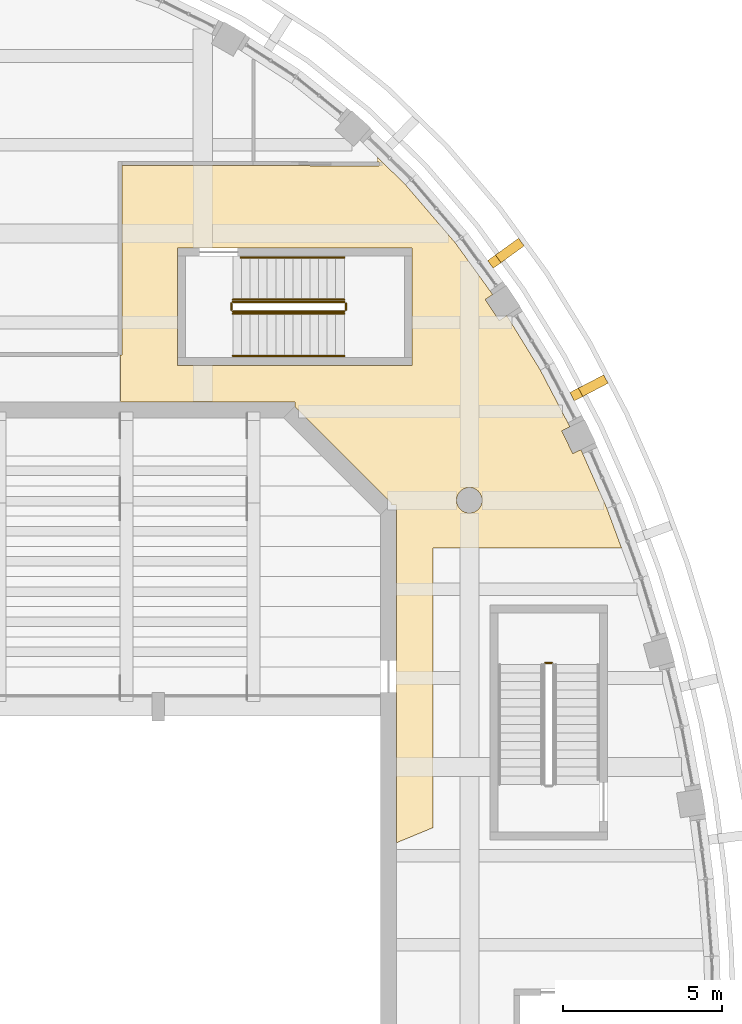
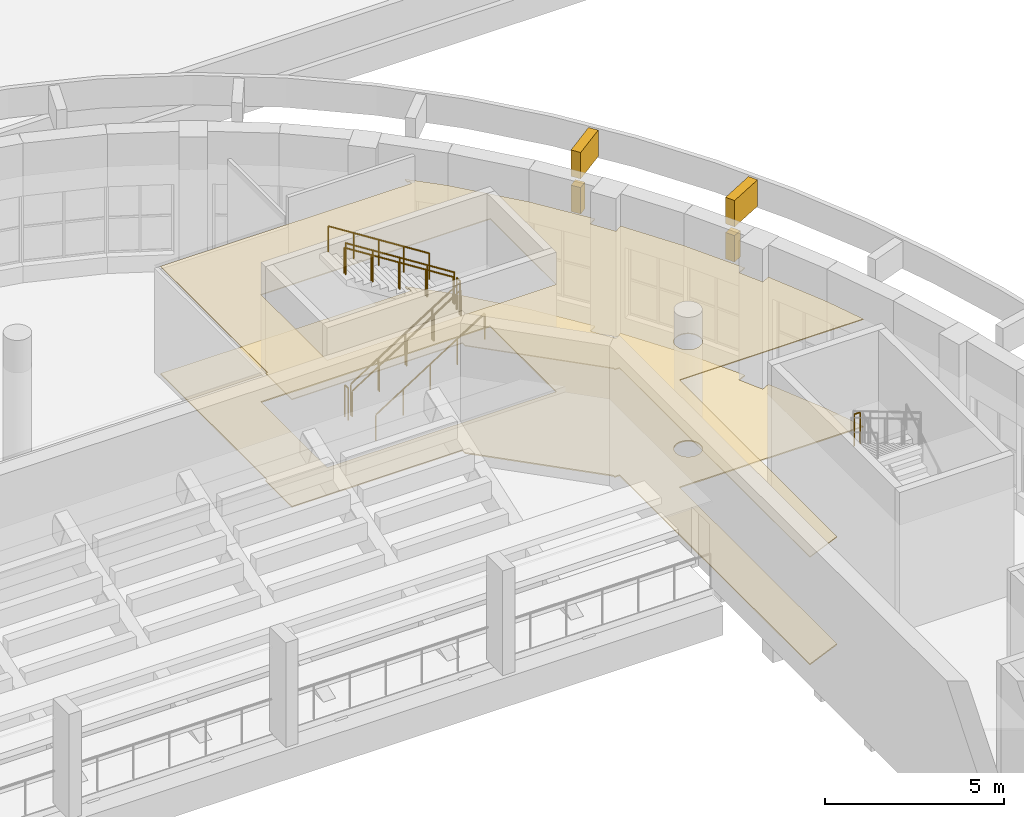
# One storey, part 77 of 79: 9 railings, 6 coverings.
"""IFC4 building model written with IfcOpenShell, lengths in metres."""

from ifc_helpers import new_model, si_unit, direction, frame, origin, origin_2d, place, context, subcontext, project, spatial, polyline, rectangle, circle, outline, extrude, material, layer, layer_set, type_object, element, save


model = new_model("IFC4")

# Units and contexts
model_context = context("Model", 3, precision=1e-05, world=origin(), true_north=direction((0.0, 1.0)))
body_context = subcontext(model_context, "Body", "Model", "MODEL_VIEW")
ifc_project = project(units=[si_unit("LENGTHUNIT", "METRE"), si_unit("AREAUNIT", "SQUARE_METRE"), si_unit("VOLUMEUNIT", "CUBIC_METRE"), si_unit("PLANEANGLEUNIT", "RADIAN"), si_unit("MASSUNIT", "GRAM", prefix="KILO")], contexts=[model_context])

# Site, building, storey
site_placement = place(None, origin())
site = spatial("IfcSite", under=ifc_project, at=site_placement, CompositionType="ELEMENT")
building_placement = place(site_placement, origin())
building = spatial("IfcBuilding", under=site, at=building_placement, Name="Larchfold Concert Hall", CompositionType="ELEMENT")
storey_placement = place(building_placement, frame((0.0, 0.0, 14.39990234375)))
storey = spatial("IfcBuildingStorey", under=building, at=storey_placement, Name="L03", CompositionType="ELEMENT", Elevation=14.39990234375)

# Coverings
ifc_material_1 = material(Name="Plasterboard ceiling lining")
ifc_layer_1 = layer(ifc_material_1, 0.030029296875)
ifc_layer_set_1 = layer_set([ifc_layer_1], Name="Plasterboard ceiling lining")
covering_type_1 = type_object("IfcCoveringType", Name="Ceiling suspended plasterboard 30", PredefinedType="CEILING", material=ifc_layer_set_1)
covering_1_placement = place(storey_placement, frame((0.0, 0.0, 3.670166015625)))
element("IfcCovering", 1, at=covering_1_placement, inside=storey, type_object=covering_type_1, Name="Ceiling Hall Foyer North East", PredefinedType="CEILING", context=body_context, shape_type="SweptSolid", body=[
    extrude(outline(polyline([(48.400390625, 105.97998046875), (48.40087890625, 104.5), (53.89990234375, 104.5), (53.89990234375, 104.353759765625), (56.9541015625, 101.299560546875), (56.92724609375, 101.272705078125), (56.948974609375, 101.251220703125), (57.10009765625, 101.251220703125), (57.10009765625, 90.606201171875), (58.25, 91.08251953125), (58.252197265625, 99.896484375), (64.19384765625, 99.900146484375), (63.732177734375, 101.1494140625), (62.9169921875, 102.994873046875), (62.658203125, 102.870361328125), (62.3115234375, 103.591552734375), (62.56982421875, 103.715576171875), (61.635986328125, 105.502685546875), (60.579833984375, 107.218994140625), (60.342529296875, 107.060791015625), (59.898681640625, 107.726318359375), (60.13525390625, 107.884033203125), (58.953857421875, 109.514892578125), (57.384765625, 111.3466796875), (56.5, 112.2119140625), (56.49365234375, 112.0625), (56.553466796875, 112.0625), (56.553466796875, 111.9375), (48.46142578125, 111.949462890625), (48.46240234375, 105.97998046875), (48.400390625, 105.97998046875)]), holes=[polyline([(59.199951171875, 101.053466796875), (59.156494140625, 101.08251953125), (59.116943359375, 101.116943359375), (59.08251953125, 101.156494140625), (59.053466796875, 101.199951171875), (59.0302734375, 101.246826171875), (59.013427734375, 101.29638671875), (59.00341796875, 101.34765625), (59.0, 101.39990234375), (59.00341796875, 101.4521484375), (59.013427734375, 101.50341796875), (59.0302734375, 101.552978515625), (59.053466796875, 101.599853515625), (59.08251953125, 101.643310546875), (59.116943359375, 101.682861328125), (59.156494140625, 101.71728515625), (59.199951171875, 101.746337890625), (59.246826171875, 101.76953125), (59.29638671875, 101.786376953125), (59.34765625, 101.79638671875), (59.39990234375, 101.7998046875), (59.4521484375, 101.79638671875), (59.50341796875, 101.786376953125), (59.552978515625, 101.76953125), (59.599853515625, 101.746337890625), (59.643310546875, 101.71728515625), (59.682861328125, 101.682861328125), (59.71728515625, 101.643310546875), (59.746337890625, 101.599853515625), (59.76953125, 101.552978515625), (59.786376953125, 101.50341796875), (59.79638671875, 101.4521484375), (59.7998046875, 101.39990234375), (59.79638671875, 101.34765625), (59.786376953125, 101.29638671875), (59.76953125, 101.246826171875), (59.746337890625, 101.199951171875), (59.71728515625, 101.156494140625), (59.682861328125, 101.116943359375), (59.643310546875, 101.08251953125), (59.599853515625, 101.053466796875), (59.552978515625, 101.0302734375), (59.50341796875, 101.013427734375), (59.4521484375, 101.00341796875), (59.39990234375, 101.0), (59.34765625, 101.00341796875), (59.29638671875, 101.013427734375), (59.246826171875, 101.0302734375), (59.199951171875, 101.053466796875)]), polyline([(50.199951171875, 105.64990234375), (50.199951171875, 109.35009765625), (57.60009765625, 109.35009765625), (57.60009765625, 105.64990234375), (50.199951171875, 105.64990234375)])]), origin(), (0.0, 0.0, 1.0), 0.030029296875),
])
ifc_material_2 = material(Name="Polished terrazzo")
ifc_layer_2 = layer(ifc_material_2, 0.0400390625)
ifc_layer_set_2 = layer_set([ifc_layer_2], Name="Polished terrazzo")
covering_type_2 = type_object("IfcCoveringType", Name="Floor finish terrazzo 40", PredefinedType="FLOORING", material=ifc_layer_set_2)
covering_2_placement = place(storey_placement, origin())
element("IfcCovering", 2, at=covering_2_placement, inside=storey, type_object=covering_type_2, Name="Floor finish Hall Foyer North East", PredefinedType="FLOORING", context=body_context, shape_type="SweptSolid", body=[
    extrude(outline(polyline([(48.400390625, 105.97998046875), (48.40087890625, 104.5), (53.89990234375, 104.5), (53.89990234375, 104.353759765625), (56.9541015625, 101.299560546875), (56.92724609375, 101.272705078125), (56.948974609375, 101.251220703125), (57.10009765625, 101.251220703125), (57.10009765625, 90.606201171875), (58.25, 91.08251953125), (58.252197265625, 99.896484375), (64.19384765625, 99.900146484375), (63.732177734375, 101.1494140625), (62.9169921875, 102.994873046875), (62.658203125, 102.870361328125), (62.3115234375, 103.591552734375), (62.56982421875, 103.715576171875), (61.635986328125, 105.502685546875), (60.579833984375, 107.218994140625), (60.342529296875, 107.060791015625), (59.898681640625, 107.726318359375), (60.13525390625, 107.884033203125), (58.953857421875, 109.514892578125), (57.384765625, 111.3466796875), (56.5, 112.2119140625), (56.49365234375, 112.0625), (56.553466796875, 112.0625), (56.553466796875, 111.9375), (48.46142578125, 111.949462890625), (48.46240234375, 105.97998046875), (48.400390625, 105.97998046875)]), holes=[polyline([(59.199951171875, 101.053466796875), (59.156494140625, 101.08251953125), (59.116943359375, 101.116943359375), (59.08251953125, 101.156494140625), (59.053466796875, 101.199951171875), (59.0302734375, 101.246826171875), (59.013427734375, 101.29638671875), (59.00341796875, 101.34765625), (59.0, 101.39990234375), (59.00341796875, 101.4521484375), (59.013427734375, 101.50341796875), (59.0302734375, 101.552978515625), (59.053466796875, 101.599853515625), (59.08251953125, 101.643310546875), (59.116943359375, 101.682861328125), (59.156494140625, 101.71728515625), (59.199951171875, 101.746337890625), (59.246826171875, 101.76953125), (59.29638671875, 101.786376953125), (59.34765625, 101.79638671875), (59.39990234375, 101.7998046875), (59.4521484375, 101.79638671875), (59.50341796875, 101.786376953125), (59.552978515625, 101.76953125), (59.599853515625, 101.746337890625), (59.643310546875, 101.71728515625), (59.682861328125, 101.682861328125), (59.71728515625, 101.643310546875), (59.746337890625, 101.599853515625), (59.76953125, 101.552978515625), (59.786376953125, 101.50341796875), (59.79638671875, 101.4521484375), (59.7998046875, 101.39990234375), (59.79638671875, 101.34765625), (59.786376953125, 101.29638671875), (59.76953125, 101.246826171875), (59.746337890625, 101.199951171875), (59.71728515625, 101.156494140625), (59.682861328125, 101.116943359375), (59.643310546875, 101.08251953125), (59.599853515625, 101.053466796875), (59.552978515625, 101.0302734375), (59.50341796875, 101.013427734375), (59.4521484375, 101.00341796875), (59.39990234375, 101.0), (59.34765625, 101.00341796875), (59.29638671875, 101.013427734375), (59.246826171875, 101.0302734375), (59.199951171875, 101.053466796875)]), polyline([(50.199951171875, 105.64990234375), (50.199951171875, 109.35009765625), (57.60009765625, 109.35009765625), (57.60009765625, 105.64990234375), (50.199951171875, 105.64990234375)])]), origin(), (0.0, 0.0, 1.0), 0.0400390625),
])
ifc_material_3 = material(Name="Galvanised steel bracket", Category="steel")
ifc_layer_3 = layer(ifc_material_3, 0.300048828125)
ifc_layer_set_3 = layer_set([ifc_layer_3], Name="Galvanised steel bracket")
covering_type_3 = type_object("IfcCoveringType", Name="Ring support bracket", PredefinedType="CLADDING", material=ifc_layer_set_3)
for number, where, z_axis, x_axis, name in (
    (3, (62.771484375, 104.7333984375, 3.35009765625), (0.0, 0.0, 1.0), (0.88627377699, 0.463161734409, 0.0), "Ring bracket BR-R06-05"),
    (4, (60.18798828125, 108.919189453125, 3.35009765625), (0.0, 0.0, 1.0), (0.809814943436, 0.586685398989, 0.0), "Ring bracket BR-R06-06"),
):
    element("IfcCovering", number, at=place(storey_placement, frame(where, z_axis=z_axis, x_axis=x_axis)), inside=storey, type_object=covering_type_3, Name=name, PredefinedType="CLADDING", context=body_context, shape_type="SweptSolid", body=[
        extrude(rectangle(XDim=0.300048828125, YDim=0.300048828125, at=origin_2d()), origin(), (0.0, 0.0, 1.0), 0.89990234375),
    ])
for number, where, z_axis, x_axis, name in (
    (5, (63.17041015625, 104.941650390625, 4.550048828125), (0.0, 0.0, 1.0), (0.88627377699, 0.463161734409, 0.0), "Ring bracket BR-R07-05"),
    (6, (60.552490234375, 109.18310546875, 4.550048828125), (0.0, 0.0, 1.0), (0.809814943436, 0.586685398989, 0.0), "Ring bracket BR-R07-06"),
):
    element("IfcCovering", number, at=place(storey_placement, frame(where, z_axis=z_axis, x_axis=x_axis)), inside=storey, type_object=covering_type_3, Name=name, PredefinedType="CLADDING", context=body_context, shape_type="SweptSolid", body=[
        extrude(rectangle(XDim=1.199951171875, YDim=0.300048828125, at=origin_2d()), origin(), (0.0, 0.0, 1.0), 0.89990234375),
    ])

# Railings
ifc_material_4 = material(Name="Stainless steel balustrade", Category="steel")
railing_type_1 = type_object("IfcRailingType", Name="Stair guard 1100", PredefinedType="GUARDRAIL", material=ifc_material_4)
railing_1_placement = place(storey_placement, frame((62.0, 96.280029296875, 2.400146484375)))
element("IfcRailing", 7, at=railing_1_placement, inside=storey, type_object=railing_type_1, Name="Guard GR0002", PredefinedType="GUARDRAIL", context=body_context, shape_type="SweptSolid", body=[
    extrude(circle(Radius=0.02392578125, at=origin_2d()), frame((0.0, 0.0, 1.076171875), z_axis=(-1.0, 0.0, 0.0), x_axis=(0.0, -1.0, 0.0)), (0.0, 0.0, 1.0), 0.199951171875),
    extrude(circle(Radius=0.02099609375, at=origin_2d()), origin(), (0.0, 0.0, 1.0), 1.052001953125),
    extrude(circle(Radius=0.02099609375, at=origin_2d()), frame((-0.199951171875, 0.0, 0.0)), (0.0, 0.0, 1.0), 1.052001953125),
])
railing_2_placement = place(storey_placement, frame((51.949951171875, 107.349853515625, 0.171630859375)))
element("IfcRailing", 8, at=railing_2_placement, inside=storey, type_object=railing_type_1, Name="Guard GR0009", PredefinedType="GUARDRAIL", context=body_context, shape_type="SweptSolid", body=[
    extrude(circle(Radius=0.02392578125, at=origin_2d()), frame((0.0, 0.0, 1.076171875), z_axis=(0.844219563411, 0.0, 0.53599750816), x_axis=(0.0, 1.0, 0.0)), (0.0, 0.0, 1.0), 4.15771484375),
    extrude(circle(Radius=0.02099609375, at=origin_2d()), origin(), (0.0, 0.0, 1.0), 1.052001953125),
    extrude(circle(Radius=0.02099609375, at=origin_2d()), frame((0.87744140625, 0.0, 0.55712890625)), (0.0, 0.0, 1.0), 1.052001953125),
    extrude(circle(Radius=0.02099609375, at=origin_2d()), frame((1.7548828125, 0.0, 1.1142578125)), (0.0, 0.0, 1.0), 1.052001953125),
    extrude(circle(Radius=0.02099609375, at=origin_2d()), frame((2.632568359375, 0.0, 1.67138671875)), (0.0, 0.0, 1.0), 1.052001953125),
    extrude(circle(Radius=0.02099609375, at=origin_2d()), frame((3.510009765625, 0.0, 2.228515625)), (0.0, 0.0, 1.0), 1.052001953125),
])
railing_3_placement = place(storey_placement, frame((55.510009765625, 107.39990234375, 2.400146484375)))
element("IfcRailing", 9, at=railing_3_placement, inside=storey, type_object=railing_type_1, Name="Guard GR0010", PredefinedType="GUARDRAIL", context=body_context, shape_type="SweptSolid", body=[
    extrude(circle(Radius=0.02392578125, at=origin_2d()), frame((0.0, 0.0, 1.076171875), z_axis=(0.0, 1.0, 0.0), x_axis=(-1.0, 0.0, 0.0)), (0.0, 0.0, 1.0), 0.199951171875),
    extrude(circle(Radius=0.02099609375, at=origin_2d()), origin(), (0.0, 0.0, 1.0), 1.052001953125),
    extrude(circle(Radius=0.02099609375, at=origin_2d()), frame((0.0, 0.199951171875, 0.0)), (0.0, 0.0, 1.0), 1.052001953125),
])
railing_4_placement = place(storey_placement, frame((55.4599609375, 107.64990234375, 2.571533203125)))
element("IfcRailing", 10, at=railing_4_placement, inside=storey, type_object=railing_type_1, Name="Guard GR0011", PredefinedType="GUARDRAIL", context=body_context, shape_type="SweptSolid", body=[
    extrude(circle(Radius=0.02392578125, at=origin_2d()), frame((0.0, 0.0, 1.076171875), z_axis=(-0.844219563411, 0.0, 0.53599750816), x_axis=(0.0, -1.0, 0.0)), (0.0, 0.0, 1.0), 4.15771484375),
    extrude(circle(Radius=0.02099609375, at=origin_2d()), origin(), (0.0, 0.0, 1.0), 1.052001953125),
    extrude(circle(Radius=0.02099609375, at=origin_2d()), frame((-0.87744140625, 0.0, 0.55712890625)), (0.0, 0.0, 1.0), 1.052001953125),
    extrude(circle(Radius=0.02099609375, at=origin_2d()), frame((-1.7548828125, 0.0, 1.1142578125)), (0.0, 0.0, 1.0), 1.052001953125),
    extrude(circle(Radius=0.02099609375, at=origin_2d()), frame((-2.632568359375, 0.0, 1.67138671875)), (0.0, 0.0, 1.0), 1.052001953125),
    extrude(circle(Radius=0.02099609375, at=origin_2d()), frame((-3.510009765625, 0.0, 2.228515625)), (0.0, 0.0, 1.0), 1.052001953125),
])
railing_5_placement = place(storey_placement, frame((51.89990234375, 107.39990234375, 0.0)))
element("IfcRailing", 11, at=railing_5_placement, inside=storey, type_object=railing_type_1, Name="Guard GR0012", PredefinedType="GUARDRAIL", context=body_context, shape_type="SweptSolid", body=[
    extrude(circle(Radius=0.02392578125, at=origin_2d()), frame((0.0, 0.0, 1.076171875), z_axis=(0.0, 1.0, 0.0), x_axis=(-1.0, 0.0, 0.0)), (0.0, 0.0, 1.0), 0.199951171875),
    extrude(circle(Radius=0.02099609375, at=origin_2d()), origin(), (0.0, 0.0, 1.0), 1.052001953125),
    extrude(circle(Radius=0.02099609375, at=origin_2d()), frame((0.0, 0.199951171875, 0.0)), (0.0, 0.0, 1.0), 1.052001953125),
])
ifc_material_5 = material(Name="Stainless steel handrail", Category="steel")
railing_type_2 = type_object("IfcRailingType", Name="Stair handrail 900", PredefinedType="HANDRAIL", material=ifc_material_5)
railing_6_placement = place(storey_placement, frame((51.949951171875, 105.949951171875, 0.171630859375)))
element("IfcRailing", 12, at=railing_6_placement, inside=storey, type_object=railing_type_2, Name="Handrail HR0005", PredefinedType="HANDRAIL", context=body_context, shape_type="SweptSolid", body=[
    extrude(circle(Radius=0.02392578125, at=origin_2d()), frame((0.0, 0.0, 0.8759765625), z_axis=(0.844219563411, 0.0, 0.53599750816), x_axis=(0.0, 1.0, 0.0)), (0.0, 0.0, 1.0), 4.15771484375),
    extrude(circle(Radius=0.02099609375, at=origin_2d()), origin(), (0.0, 0.0, 1.0), 0.851806640625),
    extrude(circle(Radius=0.02099609375, at=origin_2d()), frame((0.87744140625, 0.0, 0.55712890625)), (0.0, 0.0, 1.0), 0.851806640625),
    extrude(circle(Radius=0.02099609375, at=origin_2d()), frame((1.7548828125, 0.0, 1.1142578125)), (0.0, 0.0, 1.0), 0.851806640625),
    extrude(circle(Radius=0.02099609375, at=origin_2d()), frame((2.632568359375, 0.0, 1.67138671875)), (0.0, 0.0, 1.0), 0.851806640625),
    extrude(circle(Radius=0.02099609375, at=origin_2d()), frame((3.510009765625, 0.0, 2.228515625)), (0.0, 0.0, 1.0), 0.851806640625),
])
railing_7_placement = place(storey_placement, frame((55.4599609375, 109.0498046875, 2.571533203125)))
element("IfcRailing", 13, at=railing_7_placement, inside=storey, type_object=railing_type_2, Name="Handrail HR0006", PredefinedType="HANDRAIL", context=body_context, shape_type="SweptSolid", body=[
    extrude(circle(Radius=0.02392578125, at=origin_2d()), frame((0.0, 0.0, 0.8759765625), z_axis=(-0.844207819342, 0.0, 0.536016005136), x_axis=(0.0, -1.0, 0.0)), (0.0, 0.0, 1.0), 3.861083984375),
    extrude(circle(Radius=0.02099609375, at=origin_2d()), origin(), (0.0, 0.0, 1.0), 0.851806640625),
    extrude(circle(Radius=0.02099609375, at=origin_2d()), frame((-0.81494140625, 0.0, 0.517333984375)), (0.0, 0.0, 1.0), 0.851806640625),
    extrude(circle(Radius=0.02099609375, at=origin_2d()), frame((-1.6298828125, 0.0, 1.03466796875)), (0.0, 0.0, 1.0), 0.851806640625),
    extrude(circle(Radius=0.02099609375, at=origin_2d()), frame((-2.444580078125, 0.0, 1.55224609375)), (0.0, 0.0, 1.0), 0.851806640625),
    extrude(circle(Radius=0.02099609375, at=origin_2d()), frame((-3.259521484375, 0.0, 2.069580078125)), (0.0, 0.0, 1.0), 0.851806640625),
])
railing_8_placement = place(storey_placement, frame((51.949951171875, 107.27978515625, 0.171630859375)))
element("IfcRailing", 14, at=railing_8_placement, inside=storey, type_object=railing_type_2, Name="Handrail HR0007", PredefinedType="HANDRAIL", context=body_context, shape_type="SweptSolid", body=[
    extrude(circle(Radius=0.02392578125, at=origin_2d()), frame((0.0, 0.0, 0.8759765625), z_axis=(0.844219563411, 0.0, 0.53599750816), x_axis=(0.0, 1.0, 0.0)), (0.0, 0.0, 1.0), 4.15771484375),
    extrude(circle(Radius=0.02099609375, at=origin_2d()), origin(), (0.0, 0.0, 1.0), 0.851806640625),
    extrude(circle(Radius=0.02099609375, at=origin_2d()), frame((0.87744140625, 0.0, 0.55712890625)), (0.0, 0.0, 1.0), 0.851806640625),
    extrude(circle(Radius=0.02099609375, at=origin_2d()), frame((1.7548828125, 0.0, 1.1142578125)), (0.0, 0.0, 1.0), 0.851806640625),
    extrude(circle(Radius=0.02099609375, at=origin_2d()), frame((2.632568359375, 0.0, 1.67138671875)), (0.0, 0.0, 1.0), 0.851806640625),
    extrude(circle(Radius=0.02099609375, at=origin_2d()), frame((3.510009765625, 0.0, 2.228515625)), (0.0, 0.0, 1.0), 0.851806640625),
])
railing_9_placement = place(storey_placement, frame((55.4599609375, 107.719970703125, 2.571533203125)))
element("IfcRailing", 15, at=railing_9_placement, inside=storey, type_object=railing_type_2, Name="Handrail HR0008", PredefinedType="HANDRAIL", context=body_context, shape_type="SweptSolid", body=[
    extrude(circle(Radius=0.02392578125, at=origin_2d()), frame((0.0, 0.0, 0.8759765625), z_axis=(-0.844219563411, 0.0, 0.53599750816), x_axis=(0.0, -1.0, 0.0)), (0.0, 0.0, 1.0), 4.15771484375),
    extrude(circle(Radius=0.02099609375, at=origin_2d()), origin(), (0.0, 0.0, 1.0), 0.851806640625),
    extrude(circle(Radius=0.02099609375, at=origin_2d()), frame((-0.87744140625, 0.0, 0.55712890625)), (0.0, 0.0, 1.0), 0.851806640625),
    extrude(circle(Radius=0.02099609375, at=origin_2d()), frame((-1.7548828125, 0.0, 1.1142578125)), (0.0, 0.0, 1.0), 0.851806640625),
    extrude(circle(Radius=0.02099609375, at=origin_2d()), frame((-2.632568359375, 0.0, 1.67138671875)), (0.0, 0.0, 1.0), 0.851806640625),
    extrude(circle(Radius=0.02099609375, at=origin_2d()), frame((-3.510009765625, 0.0, 2.228515625)), (0.0, 0.0, 1.0), 0.851806640625),
])

save(model, "model.ifc")
